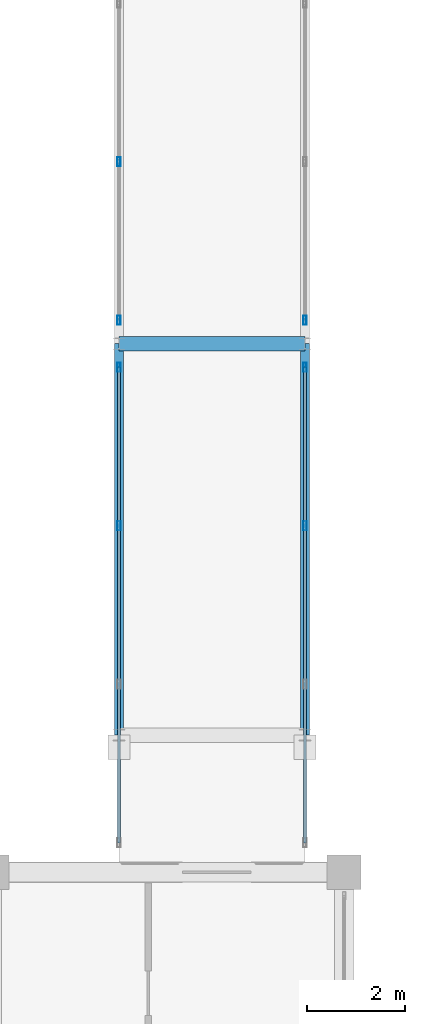
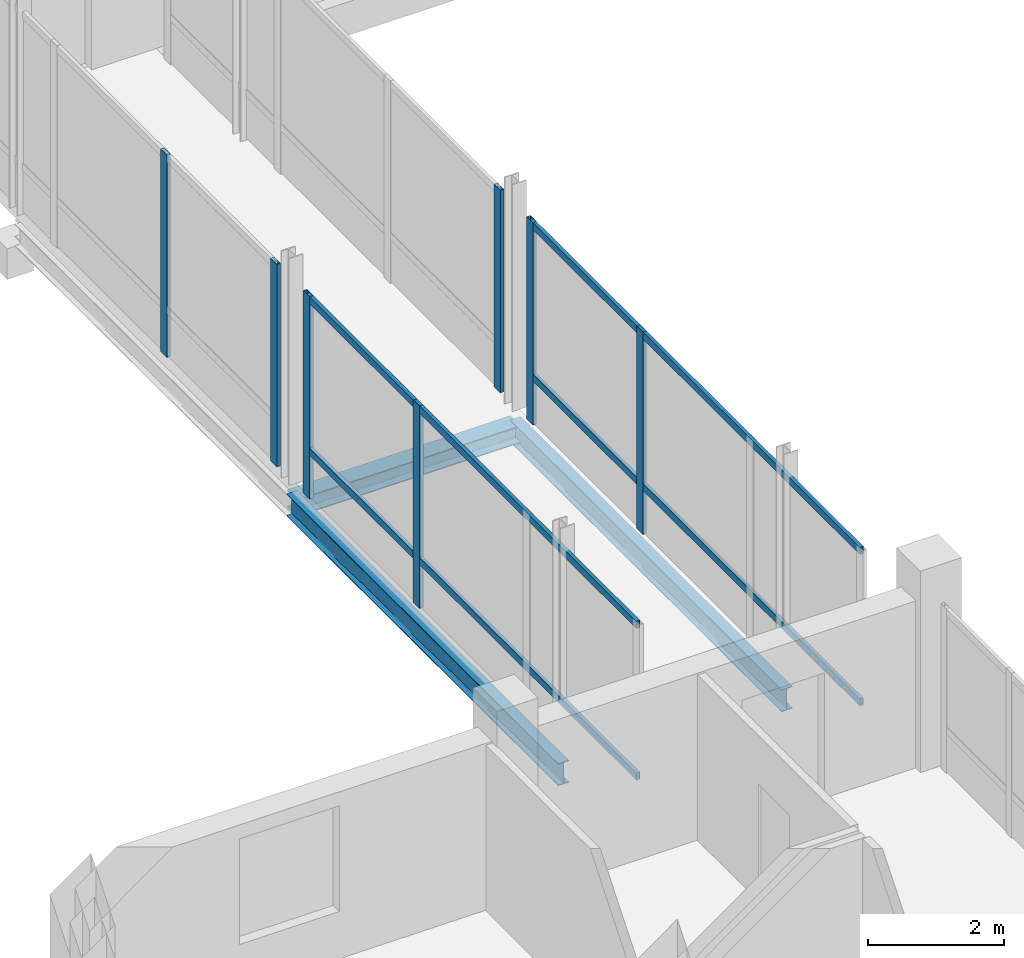
# One storey, part 57 of 128: 11 members, 3 beams, 4 elements without a shape of their own.
"""IFC4 building model written with IfcOpenShell, lengths in metres."""

import ifcopenshell
import ifcopenshell.guid

model = None  # the IFC model being written
_history = None  # IfcOwnerHistory: only IFC2X3 demands one
_inside = {}  # id of a spatial element -> (the spatial element, [elements in it])
_under = {}  # id of a project, library or spatial element -> (it, [spatial elements below it])
_declared = {}  # id of a project -> (the project, [libraries it declares])
_typed = {}  # id of a type object -> (the type object, [elements of that type])
_made_of = {}  # id of a material, layer set ... -> (it, [elements and type objects made of it])


def new_model(schema):
    """Start an empty IFC model of exactly this schema.

    Asked for "IFC4X3", IfcOpenShell would pick the latest addendum, in which some entities
    have other attributes; the version numbers below select the first issue.
    IFC2X3 requires an IfcOwnerHistory on every rooted entity: one is made here for all.
    """
    global model, _history
    if schema == "IFC4X3":
        model = ifcopenshell.file(schema_version=(4, 3, 0, 0))
    else:
        model = ifcopenshell.file(schema=schema)
    _inside.clear()
    _under.clear()
    _declared.clear()
    _typed.clear()
    _made_of.clear()
    _history = None
    if model.schema == "IFC2X3":
        org = make("IfcOrganization", Name="unknown")
        user = make(
            "IfcPersonAndOrganization",
            ThePerson=make("IfcPerson", FamilyName="unknown"),
            TheOrganization=org,
        )
        app = make(
            "IfcApplication",
            ApplicationDeveloper=org,
            Version="unknown",
            ApplicationFullName="unknown",
            ApplicationIdentifier="unknown",
        )
        _history = make(
            "IfcOwnerHistory",
            OwningUser=user,
            OwningApplication=app,
            ChangeAction="ADDED",
            CreationDate=0,
        )
    return model


def make(cls, **values):
    """One entity of the class cls with the attributes given. An attribute that is None is left unset."""
    return model.create_entity(
        cls, **{name: value for name, value in values.items() if value is not None}
    )


def rooted(cls, **values):
    """An entity with a GlobalId (a new one), such as an element, a storey or a relation."""
    return make(cls, GlobalId=ifcopenshell.guid.new(), OwnerHistory=_history, **values)


def si_unit(unit_type, name, prefix=None):
    """IfcSIUnit, for example si_unit("LENGTHUNIT", "METRE", prefix="MILLI")."""
    return make("IfcSIUnit", UnitType=unit_type, Prefix=prefix, Name=name)


def assignment(units):
    """IfcUnitAssignment: the units of a project."""
    return None if units is None else make("IfcUnitAssignment", Units=units)


def point(xyz):
    """IfcCartesianPoint."""
    return None if xyz is None else make("IfcCartesianPoint", Coordinates=xyz)


def direction(xyz):
    """IfcDirection."""
    return None if xyz is None else make("IfcDirection", DirectionRatios=xyz)


def frame(location, z_axis=None, x_axis=None):
    """IfcAxis2Placement3D, a coordinate frame: its origin and axes. An axis left out is left unset."""
    return make(
        "IfcAxis2Placement3D",
        Location=point(location),
        Axis=direction(z_axis),
        RefDirection=direction(x_axis),
    )


def frame_2d(location, x_axis=None):
    """IfcAxis2Placement2D, a coordinate frame in the plane: its origin and x axis."""
    return make(
        "IfcAxis2Placement2D", Location=point(location), RefDirection=direction(x_axis)
    )


def origin():
    """The frame at (0, 0, 0) with its axes left unset."""
    return frame((0.0, 0.0, 0.0))


def origin_2d():
    """The frame at (0, 0) in the plane with its x axis left unset."""
    return frame_2d((0.0, 0.0))


def place(relative_to, where):
    """IfcLocalPlacement: puts the frame where relative to a parent placement (None: the world)."""
    return make(
        "IfcLocalPlacement", PlacementRelTo=relative_to, RelativePlacement=where
    )


def context(
    kind, dimensions, precision=None, world=None, true_north=None, identifier=None
):
    """IfcGeometricRepresentationContext, for example the 3D "Model" context."""
    return make(
        "IfcGeometricRepresentationContext",
        ContextIdentifier=identifier,
        ContextType=kind,
        CoordinateSpaceDimension=dimensions,
        Precision=precision,
        WorldCoordinateSystem=world,
        TrueNorth=true_north,
    )


def subcontext(parent, identifier, kind, view, scale=None):
    """IfcGeometricRepresentationSubContext, for example "Body" below "Model"."""
    return make(
        "IfcGeometricRepresentationSubContext",
        ContextIdentifier=identifier,
        ContextType=kind,
        ParentContext=parent,
        TargetScale=scale,
        TargetView=view,
    )


def project(units=None, contexts=None):
    """IfcProject with its units and contexts."""
    return rooted(
        "IfcProject",
        Name="project",
        RepresentationContexts=contexts,
        UnitsInContext=assignment(units),
    )


def spatial(cls, under=None, at=None, **own):
    """A site, building, storey or space (cls), placed at a placement, below another one or the project."""
    s = rooted(cls, ObjectPlacement=at, **own)
    if under is not None:
        _under.setdefault(under.id(), (under, []))[1].append(s)
    return s


def profile(cls, at=None, kind="AREA", **sizes):
    """A parametric profile (cls). Its sizes go by their IFC names, for example OverallWidth=200.0."""
    return make(cls, ProfileType=kind, Position=at, **sizes)


def hollow_rectangle(**sizes):
    """IfcRectangleHollowProfileDef."""
    return profile("IfcRectangleHollowProfileDef", **sizes)


def i_section(**sizes):
    """IfcIShapeProfileDef."""
    return profile("IfcIShapeProfileDef", **sizes)


def extrude(swept, where, along, depth):
    """IfcExtrudedAreaSolid: the profile swept, set in the frame where, extruded along a direction by depth."""
    return make(
        "IfcExtrudedAreaSolid",
        SweptArea=swept,
        Position=where,
        ExtrudedDirection=direction(along),
        Depth=depth,
    )


def shape(context_of_items, identifier, shape_type, items):
    """IfcShapeRepresentation: the items that make up one representation, for example the "Body"."""
    return make(
        "IfcShapeRepresentation",
        ContextOfItems=context_of_items,
        RepresentationIdentifier=identifier,
        RepresentationType=shape_type,
        Items=items,
    )


def material(Name=None, Category=None):
    """IfcMaterial."""
    return make("IfcMaterial", Name=Name, Category=Category)


def material_profile(
    of_material, cross_section, Name=None, Category=None, Priority=None
):
    """IfcMaterialProfile: a cross section and its material."""
    return make(
        "IfcMaterialProfile",
        Name=Name,
        Material=of_material,
        Profile=cross_section,
        Priority=Priority,
        Category=Category,
    )


def profile_set(profiles, Name=None, composite=None):
    """IfcMaterialProfileSet."""
    return make(
        "IfcMaterialProfileSet",
        Name=Name,
        MaterialProfiles=profiles,
        CompositeProfile=composite,
    )


def made_of(thing, what):
    """Note that an element or type object is made of a material, layer set ...; save() writes the relation."""
    if what is not None:
        _made_of.setdefault(what.id(), (what, []))[1].append(thing)
    return thing


def type_object(cls, material=None, **own):
    """A type object (cls), such as IfcWallType, which elements share."""
    return made_of(rooted(cls, **own), material)


def element(
    cls,
    number,
    at=None,
    inside=None,
    cuts=None,
    type_object=None,
    material=None,
    context=None,
    identifier="Body",
    shape_type=None,
    held_by="IfcProductDefinitionShape",
    body=None,
    shapes=None,
    **own,
):
    """One element of the class cls, such as IfcWall. Its Tag is "e" and its number.

    at: its placement. inside: the storey or other place that contains it. cuts: it is an
    opening in that element (IfcRelVoidsElement). A single representation is given by context,
    identifier, shape_type and body (its items); several are given by shapes. held_by: the class
    of the entity that holds the representations. save() writes the other relations.
    """
    e = rooted(cls, Tag="e%d" % number, ObjectPlacement=at, **own)
    if body is not None:
        shapes = [shape(context, identifier, shape_type, body)]
    if shapes is not None:
        e.Representation = make(held_by, Representations=shapes)
    if inside is not None:
        _inside.setdefault(inside.id(), (inside, []))[1].append(e)
    if cuts is not None:
        rooted(
            "IfcRelVoidsElement", RelatingBuildingElement=cuts, RelatedOpeningElement=e
        )
    if type_object is not None:
        _typed.setdefault(type_object.id(), (type_object, []))[1].append(e)
    return made_of(e, material)


def aggregate(whole, parts):
    """IfcRelAggregates: a whole, such as a stair, and the parts it consists of."""
    return rooted("IfcRelAggregates", RelatingObject=whole, RelatedObjects=parts)


def save(model, path):
    """Write the relations noted so far, then the file.

    IfcRelAggregates (storeys below a building ...), IfcRelContainedInSpatialStructure (elements
    in a storey), IfcRelDefinesByType, IfcRelAssociatesMaterial and IfcRelDeclares: one each for
    every whole, place, type object, material and project.
    """
    for whole, parts in _under.values():
        aggregate(whole, parts)
    for where, things in _inside.values():
        rooted(
            "IfcRelContainedInSpatialStructure",
            RelatedElements=things,
            RelatingStructure=where,
        )
    for kind, things in _typed.values():
        rooted("IfcRelDefinesByType", RelatedObjects=things, RelatingType=kind)
    for what, things in _made_of.values():
        rooted("IfcRelAssociatesMaterial", RelatedObjects=things, RelatingMaterial=what)
    for by, libraries in _declared.values():
        rooted("IfcRelDeclares", RelatingContext=by, RelatedDefinitions=libraries)
    model.write(path)


model = new_model("IFC4")

# Units and contexts
model_context = context("Model", 3, precision=1e-05, world=origin(), true_north=direction((0.0, 1.0)))
body_context = subcontext(model_context, "Body", "Model", "MODEL_VIEW")
ifc_project = project(units=[si_unit("LENGTHUNIT", "METRE"), si_unit("AREAUNIT", "SQUARE_METRE"), si_unit("VOLUMEUNIT", "CUBIC_METRE"), si_unit("PLANEANGLEUNIT", "RADIAN"), si_unit("MASSUNIT", "GRAM", prefix="KILO")], contexts=[model_context])

# Site, building, storey
site_placement = place(None, origin())
site = spatial("IfcSite", under=ifc_project, at=site_placement, CompositionType="ELEMENT")
building_placement = place(site_placement, origin())
building = spatial("IfcBuilding", under=site, at=building_placement, Name="Zornivar Specialist Clinic", CompositionType="ELEMENT")
storey_placement = place(building_placement, frame((0.0, 0.0, 4.5)))
storey = spatial("IfcBuildingStorey", under=building, at=storey_placement, Name="L01", CompositionType="ELEMENT", Elevation=4.5)

# Beams
ifc_material_1 = material(Name="Steel S355J2", Category="steel")
ifc_material_profile_1 = material_profile(ifc_material_1, i_section(OverallWidth=0.300048828125, OverallDepth=0.31005859375, WebThickness=0.009033203125, FlangeThickness=0.015380859375, FilletRadius=0.027099609375, at=origin_2d()), Name="HEA 320")
ifc_profile_set_1 = profile_set([ifc_material_profile_1], Name="Steel S355J2")
beam_type_1 = type_object("IfcBeamType", Name="BM-STL-HEA320", PredefinedType="BEAM", material=ifc_profile_set_1)
beam_placement = place(storey_placement, frame((9.800048828125, 68.39990234375, -0.429931640625), z_axis=(1.0, 0.0, 0.0), x_axis=(0.0, 1.0, 0.0)))
element("IfcBeam", 1, at=beam_placement, inside=storey, type_object=beam_type_1, Name="bm:BR2:L01:t:684", PredefinedType="BEAM", context=body_context, shape_type="SweptSolid", body=[
    extrude(i_section(OverallWidth=0.300048828125, OverallDepth=0.31005859375, WebThickness=0.009033203125, FlangeThickness=0.015380859375, FilletRadius=0.027099609375, at=origin_2d()), origin(), (0.0, 0.0, 1.0), 3.800048828125),
])
ifc_material_2 = material(Name="Steel S355J2", Category="steel")
ifc_material_profile_2 = material_profile(ifc_material_2, i_section(OverallWidth=0.179931640625, OverallDepth=0.39990234375, WebThickness=0.008544921875, FlangeThickness=0.013427734375, FilletRadius=0.02099609375, at=origin_2d()), Name="IPE 400")
ifc_profile_set_2 = profile_set([ifc_material_profile_2], Name="Steel S355J2")
beam_type_2 = type_object("IfcBeamType", Name="BM-STL-IPE400", PredefinedType="BEAM", material=ifc_profile_set_2)
for number, where, z_axis, x_axis, name in (
    (2, (9.800048828125, 60.39990234375, -0.429931640625), (0.0, 1.0, 0.0), (-1.0, 0.0, 0.0), "bm:BR2:L01:g:98:0"),
    (3, (13.60009765625, 60.39990234375, -0.429931640625), (0.0, 1.0, 0.0), (-1.0, 0.0, 0.0), "bm:BR2:L01:g:136:0"),
):
    element("IfcBeam", number, at=place(storey_placement, frame(where, z_axis=z_axis, x_axis=x_axis)), inside=storey, type_object=beam_type_2, Name=name, PredefinedType="BEAM", context=body_context, shape_type="SweptSolid", body=[
        extrude(i_section(OverallWidth=0.179931640625, OverallDepth=0.39990234375, WebThickness=0.008544921875, FlangeThickness=0.013427734375, FilletRadius=0.02099609375, at=origin_2d()), origin(), (0.0, 0.0, 1.0), 8.0),
    ])

# Curtain wall, members
ifc_material_3 = material(Name="Aluminium and Low-E Glass Curtain Wall", Category="aluminium")
curtain_wall_type = type_object("IfcCurtainWallType", Name="CW-BRIDGE-LINK", PredefinedType="NOTDEFINED", material=ifc_material_3)
curtain_wall_1_placement = place(storey_placement, origin())
curtain_wall_1 = element("IfcCurtainWall", 4, at=curtain_wall_1_placement, inside=storey, type_object=curtain_wall_type, Name="cw:BR2:L01:W:0", PredefinedType="NOTDEFINED")
ifc_material_4 = material(Name="Aluminium AW-6060", Category="aluminium")
ifc_material_profile_3 = material_profile(ifc_material_4, hollow_rectangle(XDim=0.06494140625, YDim=0.18505859375, WallThickness=0.00439453125, at=origin_2d()), Name="ALU 65x185x4.5")
ifc_profile_set_3 = profile_set([ifc_material_profile_3], Name="Aluminium AW-6060")
member_type_1 = type_object("IfcMemberType", Name="CWM-MUL-185", PredefinedType="MULLION", material=ifc_profile_set_3)
member_1_placement = place(storey_placement, frame((9.800048828125, 64.679931640625, 0.0), z_axis=(0.0, 0.0, 1.0), x_axis=(1.0, 0.0, 0.0)))
member_1 = element("IfcMember", 5, at=member_1_placement, type_object=member_type_1, Name="cw:BR2:L01:W:0:mul:2", PredefinedType="MULLION", context=body_context, shape_type="SweptSolid", body=[
    extrude(hollow_rectangle(XDim=0.06494140625, YDim=0.18505859375, WallThickness=0.00439453125, at=origin_2d()), origin(), (0.0, 0.0, 1.0), 3.639892578125),
])
member_2_placement = place(storey_placement, frame((9.800048828125, 67.919921875, 0.0), z_axis=(0.0, 0.0, 1.0), x_axis=(1.0, 0.0, 0.0)))
member_2 = element("IfcMember", 6, at=member_2_placement, type_object=member_type_1, Name="cw:BR2:L01:W:0:mul:3", PredefinedType="MULLION", context=body_context, shape_type="SweptSolid", body=[
    extrude(hollow_rectangle(XDim=0.06494140625, YDim=0.18505859375, WallThickness=0.00439453125, at=origin_2d()), origin(), (0.0, 0.0, 1.0), 3.639892578125),
])

curtain_wall_2_placement = place(storey_placement, origin())
curtain_wall_2 = element("IfcCurtainWall", 7, at=curtain_wall_2_placement, inside=storey, type_object=curtain_wall_type, Name="cw:BR2:L01:W:1", PredefinedType="NOTDEFINED")
member_3_placement = place(storey_placement, frame((9.800048828125, 68.8798828125, 0.0), z_axis=(0.0, 0.0, 1.0), x_axis=(1.0, 0.0, 0.0)))
member_3 = element("IfcMember", 8, at=member_3_placement, type_object=member_type_1, Name="cw:BR2:L01:W:1:mul:0", PredefinedType="MULLION", context=body_context, shape_type="SweptSolid", body=[
    extrude(hollow_rectangle(XDim=0.06494140625, YDim=0.18505859375, WallThickness=0.00439453125, at=origin_2d()), origin(), (0.0, 0.0, 1.0), 3.639892578125),
])
member_4_placement = place(storey_placement, frame((9.800048828125, 72.1201171875, 0.0), z_axis=(0.0, 0.0, 1.0), x_axis=(1.0, 0.0, 0.0)))
member_4 = element("IfcMember", 9, at=member_4_placement, type_object=member_type_1, Name="cw:BR2:L01:W:1:mul:1", PredefinedType="MULLION", context=body_context, shape_type="SweptSolid", body=[
    extrude(hollow_rectangle(XDim=0.06494140625, YDim=0.18505859375, WallThickness=0.00439453125, at=origin_2d()), origin(), (0.0, 0.0, 1.0), 3.639892578125),
])
aggregate(curtain_wall_2, [member_3, member_4])

curtain_wall_3_placement = place(storey_placement, origin())
curtain_wall_3 = element("IfcCurtainWall", 10, at=curtain_wall_3_placement, inside=storey, type_object=curtain_wall_type, Name="cw:BR2:L01:E:0", PredefinedType="NOTDEFINED")
member_5_placement = place(storey_placement, frame((13.60009765625, 64.679931640625, 0.0), z_axis=(0.0, 0.0, 1.0), x_axis=(1.0, 0.0, 0.0)))
member_5 = element("IfcMember", 11, at=member_5_placement, type_object=member_type_1, Name="cw:BR2:L01:E:0:mul:2", PredefinedType="MULLION", context=body_context, shape_type="SweptSolid", body=[
    extrude(hollow_rectangle(XDim=0.06494140625, YDim=0.18505859375, WallThickness=0.00439453125, at=origin_2d()), origin(), (0.0, 0.0, 1.0), 3.639892578125),
])
member_6_placement = place(storey_placement, frame((13.60009765625, 67.919921875, 0.0), z_axis=(0.0, 0.0, 1.0), x_axis=(1.0, 0.0, 0.0)))
member_6 = element("IfcMember", 12, at=member_6_placement, type_object=member_type_1, Name="cw:BR2:L01:E:0:mul:3", PredefinedType="MULLION", context=body_context, shape_type="SweptSolid", body=[
    extrude(hollow_rectangle(XDim=0.06494140625, YDim=0.18505859375, WallThickness=0.00439453125, at=origin_2d()), origin(), (0.0, 0.0, 1.0), 3.639892578125),
])

# Curtain wall, member
curtain_wall_4_placement = place(storey_placement, origin())
curtain_wall_4 = element("IfcCurtainWall", 13, at=curtain_wall_4_placement, inside=storey, type_object=curtain_wall_type, Name="cw:BR2:L01:E:1", PredefinedType="NOTDEFINED")
member_7_placement = place(storey_placement, frame((13.60009765625, 68.8798828125, 0.0), z_axis=(0.0, 0.0, 1.0), x_axis=(1.0, 0.0, 0.0)))
member_7 = element("IfcMember", 14, at=member_7_placement, type_object=member_type_1, Name="cw:BR2:L01:E:1:mul:0", PredefinedType="MULLION", context=body_context, shape_type="SweptSolid", body=[
    extrude(hollow_rectangle(XDim=0.06494140625, YDim=0.18505859375, WallThickness=0.00439453125, at=origin_2d()), origin(), (0.0, 0.0, 1.0), 3.639892578125),
])
aggregate(curtain_wall_4, [member_7])

# Member
ifc_material_5 = material(Name="Aluminium AW-6060", Category="aluminium")
ifc_material_profile_4 = material_profile(ifc_material_5, hollow_rectangle(XDim=0.06005859375, YDim=0.1298828125, WallThickness=0.00390625, at=origin_2d()), Name="ALU 60x130x4")
ifc_profile_set_4 = profile_set([ifc_material_profile_4], Name="Aluminium AW-6060")
member_type_2 = type_object("IfcMemberType", Name="CWM-TRN-130", PredefinedType="USERDEFINED", material=ifc_profile_set_4)
member_8_placement = place(storey_placement, frame((9.800048828125, 58.199951171875, 0.85009765625), z_axis=(0.0, 1.0, 0.0), x_axis=(-1.0, 0.0, 0.0)))
member_8 = element("IfcMember", 15, at=member_8_placement, type_object=member_type_2, Name="cw:BR2:L01:W:0:trn:0", ObjectType="TRANSOM", PredefinedType="USERDEFINED", context=body_context, shape_type="SweptSolid", body=[
    extrude(hollow_rectangle(XDim=0.06005859375, YDim=0.1298828125, WallThickness=0.00390625, at=origin_2d()), origin(), (0.0, 0.0, 1.0), 9.719970703125),
])

member_9_placement = place(storey_placement, frame((9.800048828125, 58.199951171875, 3.574951171875), z_axis=(0.0, 1.0, 0.0), x_axis=(-1.0, 0.0, 0.0)))
member_9 = element("IfcMember", 16, at=member_9_placement, type_object=member_type_2, Name="cw:BR2:L01:W:0:trn:1", ObjectType="TRANSOM", PredefinedType="USERDEFINED", context=body_context, shape_type="SweptSolid", body=[
    extrude(hollow_rectangle(XDim=0.06005859375, YDim=0.1298828125, WallThickness=0.00390625, at=origin_2d()), origin(), (0.0, 0.0, 1.0), 9.719970703125),
])

aggregate(curtain_wall_1, [member_1, member_2, member_8, member_9])

member_10_placement = place(storey_placement, frame((13.60009765625, 58.199951171875, 0.85009765625), z_axis=(0.0, 1.0, 0.0), x_axis=(-1.0, 0.0, 0.0)))
member_10 = element("IfcMember", 17, at=member_10_placement, type_object=member_type_2, Name="cw:BR2:L01:E:0:trn:0", ObjectType="TRANSOM", PredefinedType="USERDEFINED", context=body_context, shape_type="SweptSolid", body=[
    extrude(hollow_rectangle(XDim=0.06005859375, YDim=0.1298828125, WallThickness=0.00390625, at=origin_2d()), origin(), (0.0, 0.0, 1.0), 9.719970703125),
])

member_11_placement = place(storey_placement, frame((13.60009765625, 58.199951171875, 3.574951171875), z_axis=(0.0, 1.0, 0.0), x_axis=(-1.0, 0.0, 0.0)))
member_11 = element("IfcMember", 18, at=member_11_placement, type_object=member_type_2, Name="cw:BR2:L01:E:0:trn:1", ObjectType="TRANSOM", PredefinedType="USERDEFINED", context=body_context, shape_type="SweptSolid", body=[
    extrude(hollow_rectangle(XDim=0.06005859375, YDim=0.1298828125, WallThickness=0.00390625, at=origin_2d()), origin(), (0.0, 0.0, 1.0), 9.719970703125),
])

aggregate(curtain_wall_3, [member_5, member_6, member_10, member_11])

save(model, "model.ifc")
